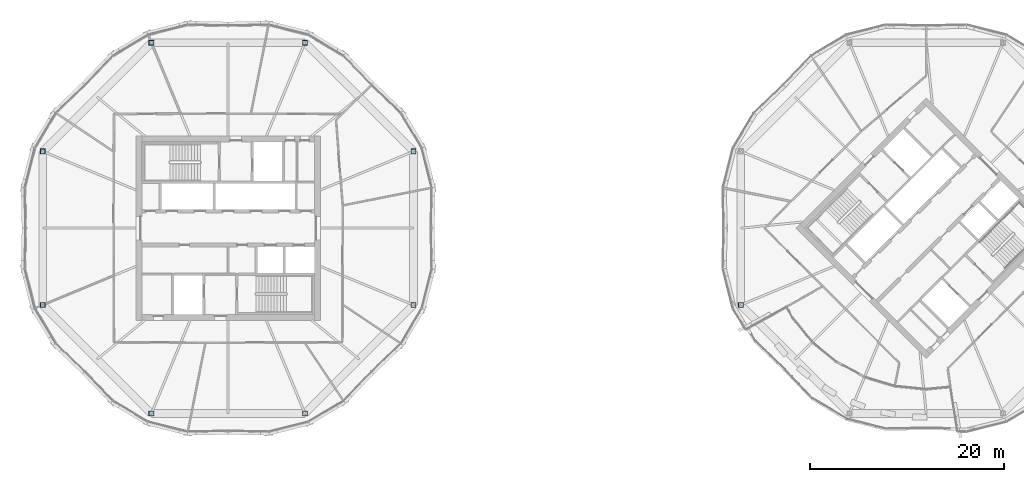
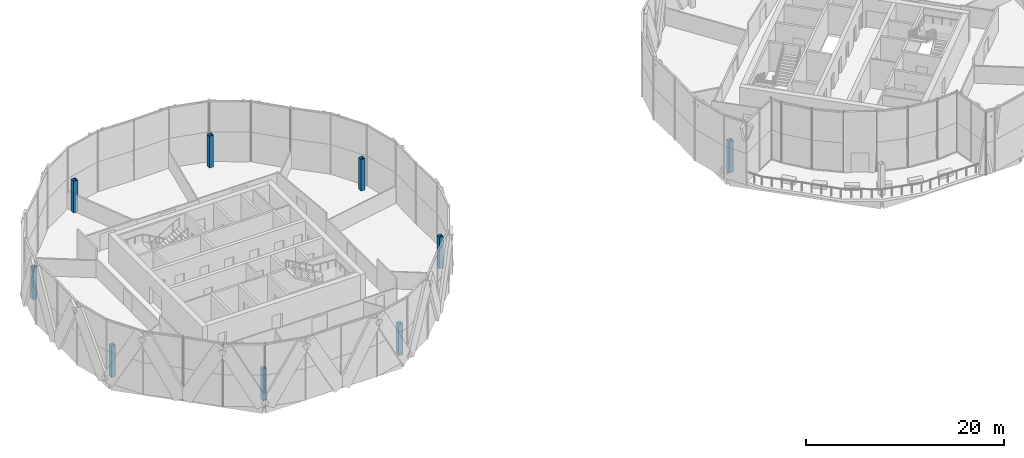
# One storey, part 1 of 26: 9 columns.
"""IFC4 building model written with IfcOpenShell, lengths in metres."""

from ifc_helpers import new_model, si_unit, direction, frame, origin, origin_2d, place, context, subcontext, project, spatial, hollow_rectangle, extrude, material, material_profile, profile_set, type_object, element, save


model = new_model("IFC4")

# Units and contexts
model_context = context("Model", 3, precision=1e-05, world=origin(), true_north=direction((0.0, 1.0)))
body_context = subcontext(model_context, "Body", "Model", "MODEL_VIEW")
ifc_project = project(units=[si_unit("LENGTHUNIT", "METRE"), si_unit("AREAUNIT", "SQUARE_METRE"), si_unit("VOLUMEUNIT", "CUBIC_METRE"), si_unit("PLANEANGLEUNIT", "RADIAN"), si_unit("MASSUNIT", "GRAM", prefix="KILO")], contexts=[model_context])

# Site, building, storey
site_placement = place(None, origin())
site = spatial("IfcSite", under=ifc_project, at=site_placement, CompositionType="ELEMENT")
building_placement = place(site_placement, origin())
building = spatial("IfcBuilding", under=site, at=building_placement, Name="Ogive Gate Towers", CompositionType="ELEMENT")
storey_placement = place(building_placement, frame((0.0, 0.0, 208.5)))
storey = spatial("IfcBuildingStorey", under=building, at=storey_placement, Name="L50", CompositionType="ELEMENT", Elevation=208.5)

# Columns
ifc_material = material(Name="Steel SM460", Category="steel")
ifc_material_profile = material_profile(ifc_material, hollow_rectangle(XDim=0.5, YDim=0.5, WallThickness=0.030029296875, at=origin_2d()), Name="BX 500x500x30")
ifc_profile_set = profile_set([ifc_material_profile], Name="Steel SM460")
column_type = type_object("IfcColumnType", Name="Perimeter post BX 500x500x30", PredefinedType="COLUMN", material=ifc_profile_set)
for number, where, z_axis, x_axis, name in (
    (1, (-16.885009765625, 7.917724609375, 0.0), (0.0, 0.0, 1.0), (1.0, 0.0, 0.0), "T1/L50/SCL001"),
    (2, (-28.082275390625, 19.114990234375, 0.0), (0.0, 0.0, 1.0), (1.0, 0.0, 0.0), "T1/L50/SCL002"),
    (3, (-43.917724609375, 19.114990234375, 0.0), (0.0, 0.0, 1.0), (1.0, 0.0, 0.0), "T1/L50/SCL003"),
    (4, (-55.114990234375, 7.917724609375, 0.0), (0.0, 0.0, 1.0), (1.0, 0.0, 0.0), "T1/L50/SCL004"),
    (5, (-55.114990234375, -7.917724609375, 0.0), (0.0, 0.0, 1.0), (1.0, 0.0, 0.0), "T1/L50/SCL005"),
    (6, (-43.917724609375, -19.114990234375, 0.0), (0.0, 0.0, 1.0), (1.0, 0.0, 0.0), "T1/L50/SCL006"),
    (7, (-28.082275390625, -19.114990234375, 0.0), (0.0, 0.0, 1.0), (1.0, 0.0, 0.0), "T1/L50/SCL007"),
    (8, (-16.885009765625, -7.917724609375, 0.0), (0.0, 0.0, 1.0), (1.0, 0.0, 0.0), "T1/L50/SCL008"),
    (9, (16.885009765625, -7.917724609375, 0.0), (0.0, 0.0, 1.0), (1.0, 0.0, 0.0), "T2/L50/SCL005"),
):
    element("IfcColumn", number, at=place(storey_placement, frame(where, z_axis=z_axis, x_axis=x_axis)), inside=storey, type_object=column_type, Name=name, PredefinedType="COLUMN", context=body_context, shape_type="SweptSolid", body=[
        extrude(hollow_rectangle(XDim=0.5, YDim=0.5, WallThickness=0.030029296875, at=origin_2d()), origin(), (0.0, 0.0, 1.0), 3.89990234375),
    ])

save(model, "model.ifc")
